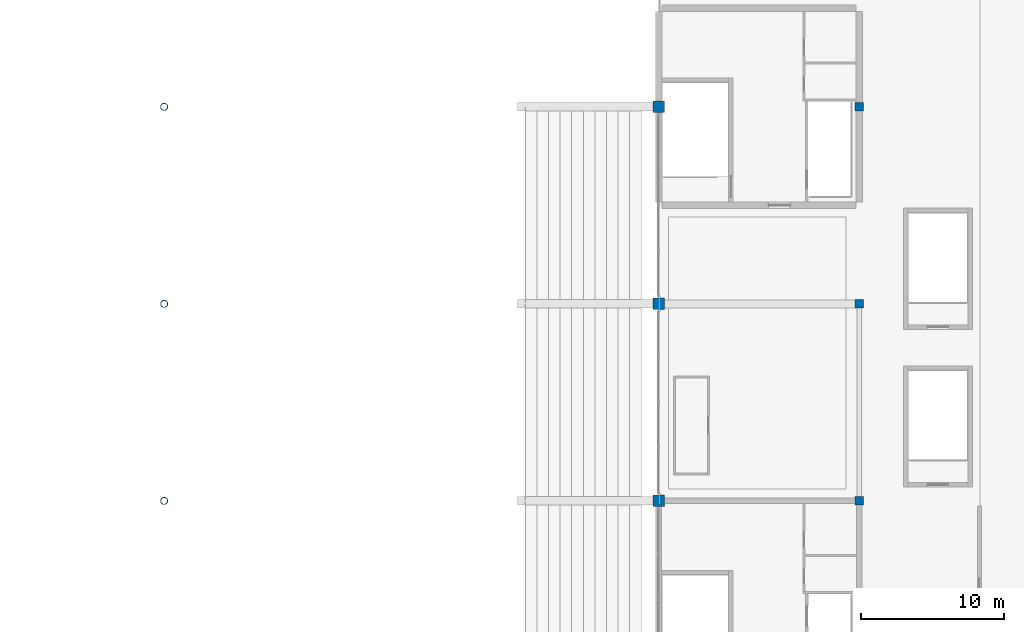
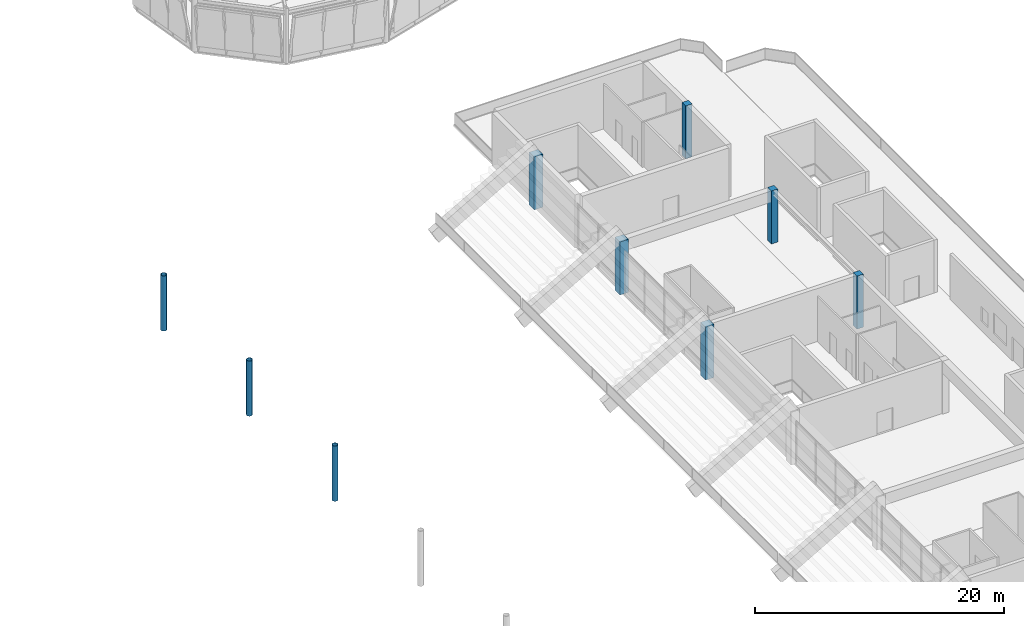
# One storey, part 7 of 90: 9 columns.
"""IFC4 building model written with IfcOpenShell, lengths in metres."""

from ifc_helpers import new_model, si_unit, direction, frame, origin, origin_2d, place, context, subcontext, project, spatial, rectangle, hollow_circle, extrude, material, material_profile, profile_set, type_object, element, save


model = new_model("IFC4")

# Units and contexts
model_context = context("Model", 3, precision=1e-05, world=origin(), true_north=direction((0.0, 1.0)))
body_context = subcontext(model_context, "Body", "Model", "MODEL_VIEW")
ifc_project = project(units=[si_unit("LENGTHUNIT", "METRE"), si_unit("AREAUNIT", "SQUARE_METRE"), si_unit("VOLUMEUNIT", "CUBIC_METRE"), si_unit("PLANEANGLEUNIT", "RADIAN"), si_unit("MASSUNIT", "GRAM", prefix="KILO")], contexts=[model_context])

# Site, building, storey
site_placement = place(None, origin())
site = spatial("IfcSite", under=ifc_project, at=site_placement, CompositionType="ELEMENT")
building_placement = place(site_placement, origin())
building = spatial("IfcBuilding", under=site, at=building_placement, Name="Linyun Crest Stadium", CompositionType="ELEMENT")
storey_placement = place(building_placement, frame((0.0, 0.0, 21.0)))
storey = spatial("IfcBuildingStorey", under=building, at=storey_placement, Name="L05", CompositionType="ELEMENT", Elevation=21.0)

# Columns
ifc_material_1 = material(Name="Concrete C50", Category="concrete")
ifc_material_profile_1 = material_profile(ifc_material_1, rectangle(XDim=0.60009765625, YDim=0.60009765625, at=origin_2d()), Name="RC 600x600")
ifc_profile_set_1 = profile_set([ifc_material_profile_1], Name="Concrete C50")
column_type_1 = type_object("IfcColumnType", Name="C01", PredefinedType="COLUMN", material=ifc_profile_set_1)
for number, where, z_axis, x_axis, name in (
    (1, (84.0, 15.875, 0.0), (0.0, 0.0, 1.0), (1.0, 0.0, 0.0), "Column C01 L05 516"),
    (2, (84.0, 29.625, 0.0), (0.0, 0.0, 1.0), (1.0, 0.0, 0.0), "Column C01 L05 522"),
    (3, (84.0, 43.375, 0.0), (0.0, 0.0, 1.0), (1.0, 0.0, 0.0), "Column C01 L05 528"),
):
    element("IfcColumn", number, at=place(storey_placement, frame(where, z_axis=z_axis, x_axis=x_axis)), inside=storey, type_object=column_type_1, Name=name, PredefinedType="COLUMN", context=body_context, shape_type="SweptSolid", body=[
        extrude(rectangle(XDim=0.60009765625, YDim=0.60009765625, at=origin_2d()), origin(), (0.0, 0.0, 1.0), 5.18505859375),
    ])
ifc_material_2 = material(Name="Concrete C50", Category="concrete")
ifc_material_profile_2 = material_profile(ifc_material_2, rectangle(XDim=0.800048828125, YDim=0.800048828125, at=origin_2d()), Name="RC 800x800")
ifc_profile_set_2 = profile_set([ifc_material_profile_2], Name="Concrete C50")
column_type_2 = type_object("IfcColumnType", Name="C03", PredefinedType="COLUMN", material=ifc_profile_set_2)
for number, where, z_axis, x_axis, name in (
    (4, (70.0, 15.875, 0.0), (0.0, 0.0, 1.0), (1.0, 0.0, 0.0), "Column C03 L05 428"),
    (5, (70.0, 29.625, 0.0), (0.0, 0.0, 1.0), (1.0, 0.0, 0.0), "Column C03 L05 434"),
    (6, (70.0, 43.375, 0.0), (0.0, 0.0, 1.0), (1.0, 0.0, 0.0), "Column C03 L05 440"),
):
    element("IfcColumn", number, at=place(storey_placement, frame(where, z_axis=z_axis, x_axis=x_axis)), inside=storey, type_object=column_type_2, Name=name, PredefinedType="COLUMN", context=body_context, shape_type="SweptSolid", body=[
        extrude(rectangle(XDim=0.800048828125, YDim=0.800048828125, at=origin_2d()), origin(), (0.0, 0.0, 1.0), 5.18505859375),
    ])
ifc_material_3 = material(Name="Steel Q355C", Category="steel")
ifc_material_profile_3 = material_profile(ifc_material_3, hollow_circle(Radius=0.25390625, WallThickness=0.02490234375, at=origin_2d()), Name="CHS 508x25")
ifc_profile_set_3 = profile_set([ifc_material_profile_3], Name="Steel Q355C")
column_type_3 = type_object("IfcColumnType", Name="SC05", PredefinedType="COLUMN", material=ifc_profile_set_3)
for number, where, z_axis, x_axis, name in (
    (7, (35.5, 15.875, 0.0), (0.0, 0.0, 1.0), (1.0, 0.0, 0.0), "Arch colonnade column SC05 L05 28"),
    (8, (35.5, 29.625, 0.0), (0.0, 0.0, 1.0), (1.0, 0.0, 0.0), "Arch colonnade column SC05 L05 30"),
    (9, (35.5, 43.375, 0.0), (0.0, 0.0, 1.0), (1.0, 0.0, 0.0), "Arch colonnade column SC05 L05 32"),
):
    element("IfcColumn", number, at=place(storey_placement, frame(where, z_axis=z_axis, x_axis=x_axis)), inside=storey, type_object=column_type_3, Name=name, PredefinedType="COLUMN", context=body_context, shape_type="SweptSolid", body=[
        extrude(hollow_circle(Radius=0.25390625, WallThickness=0.02490234375, at=origin_2d()), origin(), (0.0, 0.0, 1.0), 5.39990234375),
    ])

save(model, "model.ifc")
